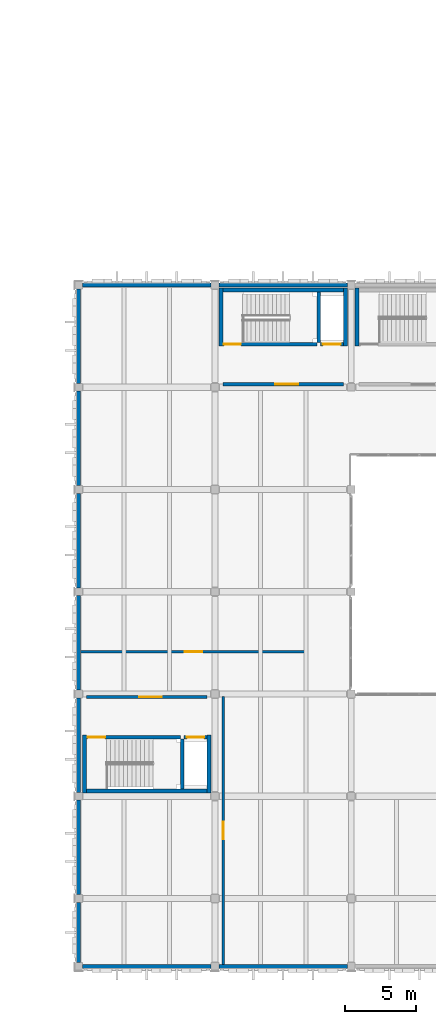
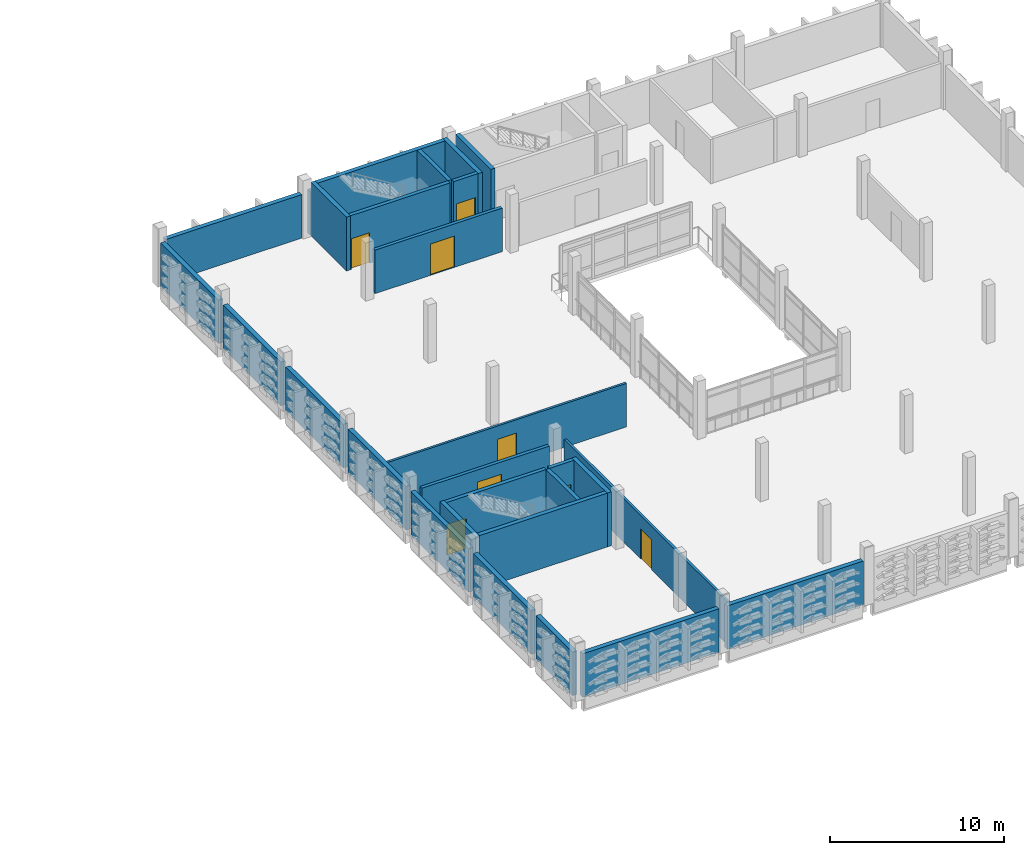
# One storey, part 55 of 72: 28 walls, 8 doors, 8 openings.
"""IFC4 building model written with IfcOpenShell, lengths in metres."""

from ifc_helpers import new_model, si_unit, direction, frame, frame_2d, origin, place, context, subcontext, project, spatial, rectangle, extrude, material, layer, layer_set, type_object, element, fill, save


model = new_model("IFC4")

# Units and contexts
model_context = context("Model", 3, precision=1e-05, world=origin(), true_north=direction((0.0, 1.0)))
body_context = subcontext(model_context, "Body", "Model", "MODEL_VIEW")
ifc_project = project(units=[si_unit("LENGTHUNIT", "METRE"), si_unit("AREAUNIT", "SQUARE_METRE"), si_unit("VOLUMEUNIT", "CUBIC_METRE"), si_unit("PLANEANGLEUNIT", "RADIAN"), si_unit("MASSUNIT", "GRAM", prefix="KILO")], contexts=[model_context])

# Site, building, storey
site_placement = place(None, origin())
site = spatial("IfcSite", under=ifc_project, at=site_placement, CompositionType="ELEMENT")
building_placement = place(site_placement, origin())
building = spatial("IfcBuilding", under=site, at=building_placement, Name="Asteropetra Specialist Clinic", CompositionType="ELEMENT")
storey_placement = place(building_placement, frame((0.0, 0.0, 12.580078125)))
storey = spatial("IfcBuildingStorey", under=building, at=storey_placement, Name="L03", CompositionType="ELEMENT", Elevation=12.580078125)

# Walls
ifc_material_1 = material(Name="Chevron sage", Category="masonry")
ifc_layer_1 = layer(ifc_material_1, 0.294921875)
ifc_layer_set_1 = layer_set([ifc_layer_1], Name="Chevron sage")
wall_type_1 = type_object("IfcWallType", Name="EW-CHEV-AEG-295", PredefinedType="SOLIDWALL", material=ifc_layer_set_1)
for number, where, z_axis, x_axis, name in (
    (1, (105.875, 0.0, 0.0), (0.0, 0.0, 1.0), (1.0, 0.0, 0.0), "Exterior Wall EW-0255"),
    (2, (114.925048828125, 48.0, 0.0), (0.0, 0.0, 1.0), (-1.0, 0.0, 0.0), "Exterior Wall EW-0256"),
):
    element("IfcWall", number, at=place(storey_placement, frame(where, z_axis=z_axis, x_axis=x_axis)), inside=storey, type_object=wall_type_1, Name=name, PredefinedType="SOLIDWALL", context=body_context, shape_type="SweptSolid", body=[
        extrude(rectangle(XDim=9.050048828125, YDim=0.294921875, at=frame_2d((4.52490234375, 0.0))), origin(), (0.0, 0.0, 1.0), 3.059814453125),
    ])
for number, where, z_axis, x_axis, name in (
    (3, (115.47509765625, 0.0, 0.0), (0.0, 0.0, 1.0), (1.0, 0.0, 0.0), "Exterior Wall EW-0257"),
    (4, (124.52490234375, 48.0, 0.0), (0.0, 0.0, 1.0), (-1.0, 0.0, 0.0), "Exterior Wall EW-0258"),
):
    element("IfcWall", number, at=place(storey_placement, frame(where, z_axis=z_axis, x_axis=x_axis)), inside=storey, type_object=wall_type_1, Name=name, PredefinedType="SOLIDWALL", context=body_context, shape_type="SweptSolid", body=[
        extrude(rectangle(XDim=9.0498046875, YDim=0.294921875, at=frame_2d((4.52490234375, 0.0))), origin(), (0.0, 0.0, 1.0), 3.059814453125),
    ])
wall_1_placement = place(storey_placement, frame((105.60009765625, 4.52490234375, 0.0), z_axis=(0.0, 0.0, 1.0), x_axis=(0.0, -1.0, 0.0)))
element("IfcWall", 5, at=wall_1_placement, inside=storey, type_object=wall_type_1, Name="Exterior Wall EW-0265", PredefinedType="SOLIDWALL", context=body_context, shape_type="SweptSolid", body=[
    extrude(rectangle(XDim=4.25, YDim=0.294921875, at=frame_2d((2.125, 0.0))), origin(), (0.0, 0.0, 1.0), 3.059814453125),
])
for number, where, z_axis, x_axis, name in (
    (6, (105.60009765625, 11.72509765625, 0.0), (0.0, 0.0, 1.0), (0.0, -1.0, 0.0), "Exterior Wall EW-0267"),
    (7, (105.60009765625, 18.925048828125, 0.0), (0.0, 0.0, 1.0), (0.0, -1.0, 0.0), "Exterior Wall EW-0269"),
):
    element("IfcWall", number, at=place(storey_placement, frame(where, z_axis=z_axis, x_axis=x_axis)), inside=storey, type_object=wall_type_1, Name=name, PredefinedType="SOLIDWALL", context=body_context, shape_type="SweptSolid", body=[
        extrude(rectangle(XDim=6.650146484375, YDim=0.294921875, at=frame_2d((3.3251953125, 0.0))), origin(), (0.0, 0.0, 1.0), 3.059814453125),
    ])
for number, where, z_axis, x_axis, name in (
    (8, (105.60009765625, 26.125, 0.0), (0.0, 0.0, 1.0), (0.0, -1.0, 0.0), "Exterior Wall EW-0271"),
    (9, (105.60009765625, 33.324951171875, 0.0), (0.0, 0.0, 1.0), (0.0, -1.0, 0.0), "Exterior Wall EW-0273"),
    (10, (105.60009765625, 40.52490234375, 0.0), (0.0, 0.0, 1.0), (0.0, -1.0, 0.0), "Exterior Wall EW-0275"),
):
    element("IfcWall", number, at=place(storey_placement, frame(where, z_axis=z_axis, x_axis=x_axis)), inside=storey, type_object=wall_type_1, Name=name, PredefinedType="SOLIDWALL", context=body_context, shape_type="SweptSolid", body=[
        extrude(rectangle(XDim=6.64990234375, YDim=0.294921875, at=frame_2d((3.324951171875, 0.0))), origin(), (0.0, 0.0, 1.0), 3.059814453125),
    ])
wall_2_placement = place(storey_placement, frame((105.60009765625, 47.72509765625, 0.0), z_axis=(0.0, 0.0, 1.0), x_axis=(0.0, -1.0, 0.0)))
element("IfcWall", 11, at=wall_2_placement, inside=storey, type_object=wall_type_1, Name="Exterior Wall EW-0277", PredefinedType="SOLIDWALL", context=body_context, shape_type="SweptSolid", body=[
    extrude(rectangle(XDim=6.650146484375, YDim=0.294921875, at=frame_2d((3.3251953125, 0.0))), origin(), (0.0, 0.0, 1.0), 3.059814453125),
])

# Wall, opening, door
ifc_material_2 = material(Name="Fire-rated masonry and gypsum", Category="masonry")
ifc_layer_2 = layer(ifc_material_2, 0.219970703125)
ifc_layer_set_2 = layer_set([ifc_layer_2], Name="Fire-rated masonry and gypsum")
wall_type_2 = type_object("IfcWallType", Name="W-COMP-220", PredefinedType="PARTITIONING", material=ifc_layer_set_2)
wall_3_placement = place(storey_placement, frame((106.159912109375, 18.97998046875, 0.0), z_axis=(0.0, 0.0, 1.0), x_axis=(1.0, 0.0, 0.0)))
wall_3 = element("IfcWall", 12, at=wall_3_placement, inside=storey, type_object=wall_type_2, Name="Core Wall CW-C8-L03-LOB", PredefinedType="PARTITIONING", context=body_context, shape_type="SweptSolid", body=[
    extrude(rectangle(XDim=8.47998046875, YDim=0.219970703125, at=frame_2d((4.239990234375, 0.0))), origin(), (0.0, 0.0, 1.0), 3.059814453125),
])
opening_1_placement = place(wall_3_placement, frame((3.699951171875, 0.0, 0.0)))
opening_1 = element("IfcOpeningElement", 13, at=opening_1_placement, cuts=wall_3, Name="Opening FD-072", PredefinedType="OPENING", context=body_context, shape_type="SweptSolid", body=[
    extrude(rectangle(XDim=1.60009765625, YDim=2.199951171875, at=frame_2d((0.800048828125, 1.10009765625))), frame((0.0, 0.119873046875, 0.0), z_axis=(0.0, -1.0, 0.0), x_axis=(1.0, 0.0, 0.0)), (0.0, 0.0, 1.0), 0.239990234375),
])
ifc_material_3 = material(Name="Fire-rated steel and vision glass door", Category="steel")
door_type_1 = type_object("IfcDoorType", Name="FD-LOBBY-1600", OperationType="DOUBLE_DOOR_SINGLE_SWING", PredefinedType="DOOR", material=ifc_material_3)
door_1_placement = place(opening_1_placement, origin())
door_1 = element("IfcDoor", 14, at=door_1_placement, inside=storey, type_object=door_type_1, Name="Lobby Fire Door FD-072", OperationType="DOUBLE_DOOR_SINGLE_SWING", OverallHeight=2.199951171875, OverallWidth=1.60009765625, PredefinedType="DOOR", context=body_context, shape_type="SweptSolid", body=[
    extrude(rectangle(XDim=1.60009765625, YDim=2.199951171875, at=frame_2d((0.800048828125, 1.10009765625))), frame((0.0, 0.02490234375, 0.0), z_axis=(0.0, -1.0, 0.0), x_axis=(1.0, 0.0, 0.0)), (0.0, 0.0, 1.0), 0.050048828125),
])
fill(opening_1, door_1)

wall_4_placement = place(storey_placement, frame((115.760009765625, 41.02001953125, 0.0), z_axis=(0.0, 0.0, 1.0), x_axis=(1.0, 0.0, 0.0)))
wall_4 = element("IfcWall", 15, at=wall_4_placement, inside=storey, type_object=wall_type_2, Name="Core Wall CW-C10-L03-LOB", PredefinedType="PARTITIONING", context=body_context, shape_type="SweptSolid", body=[
    extrude(rectangle(XDim=8.47998046875, YDim=0.219970703125, at=frame_2d((4.239990234375, 0.0))), origin(), (0.0, 0.0, 1.0), 3.059814453125),
])
opening_2_placement = place(wall_4_placement, frame((3.699951171875, 0.0, 0.0)))
opening_2 = element("IfcOpeningElement", 16, at=opening_2_placement, cuts=wall_4, Name="Opening FD-092", PredefinedType="OPENING", context=body_context, shape_type="SweptSolid", body=[
    extrude(rectangle(XDim=1.60009765625, YDim=2.199951171875, at=frame_2d((0.800048828125, 1.10009765625))), frame((0.0, 0.119873046875, 0.0), z_axis=(0.0, -1.0, 0.0), x_axis=(1.0, 0.0, 0.0)), (0.0, 0.0, 1.0), 0.239990234375),
])
door_2_placement = place(opening_2_placement, origin())
door_2 = element("IfcDoor", 17, at=door_2_placement, inside=storey, type_object=door_type_1, Name="Lobby Fire Door FD-092", OperationType="DOUBLE_DOOR_SINGLE_SWING", OverallHeight=2.199951171875, OverallWidth=1.60009765625, PredefinedType="DOOR", context=body_context, shape_type="SweptSolid", body=[
    extrude(rectangle(XDim=1.60009765625, YDim=2.199951171875, at=frame_2d((0.800048828125, 1.10009765625))), frame((0.0, 0.02490234375, 0.0), z_axis=(0.0, -1.0, 0.0), x_axis=(1.0, 0.0, 0.0)), (0.0, 0.0, 1.0), 0.050048828125),
])
fill(opening_2, door_2)

# Walls
ifc_material_4 = material(Name="Concrete C35/45", Category="concrete")
ifc_layer_3 = layer(ifc_material_4, 0.280029296875)
ifc_layer_set_3 = layer_set([ifc_layer_3], Name="Concrete C35/45")
wall_type_3 = type_object("IfcWallType", Name="W-CORE-280", PredefinedType="SHEAR", material=ifc_layer_set_3)
for number, where, z_axis, x_axis, name in (
    (18, (106.02001953125, 12.219970703125, 0.0), (0.0, 0.0, 1.0), (0.0, 1.0, 0.0), "Core Wall CW-C8-L03-W"),
    (19, (114.780029296875, 12.219970703125, 0.0), (0.0, 0.0, 1.0), (0.0, 1.0, 0.0), "Core Wall CW-C8-L03-E"),
):
    element("IfcWall", number, at=place(storey_placement, frame(where, z_axis=z_axis, x_axis=x_axis)), inside=storey, type_object=wall_type_3, Name=name, PredefinedType="SHEAR", context=body_context, shape_type="SweptSolid", body=[
        extrude(rectangle(XDim=4.080078125, YDim=0.280029296875, at=frame_2d((2.0400390625, 0.0))), origin(), (0.0, 0.0, 1.0), 3.780029296875),
    ])
wall_5_placement = place(storey_placement, frame((106.155029296875, 12.360107421875, 0.0), z_axis=(0.0, 0.0, 1.0), x_axis=(1.0, 0.0, 0.0)))
element("IfcWall", 20, at=wall_5_placement, inside=storey, type_object=wall_type_3, Name="Core Wall CW-C8-L03-BACK", PredefinedType="SHEAR", context=body_context, shape_type="SweptSolid", body=[
    extrude(rectangle(XDim=8.489990234375, YDim=0.280029296875, at=frame_2d((4.2451171875, 0.0))), origin(), (0.0, 0.0, 1.0), 3.780029296875),
])
for number, where, z_axis, x_axis, name in (
    (21, (125.219970703125, 43.699951171875, 0.0), (0.0, 0.0, 1.0), (0.0, 1.0, 0.0), "Core Wall CW-C9-L03-W"),
    (22, (115.6201171875, 43.699951171875, 0.0), (0.0, 0.0, 1.0), (0.0, 1.0, 0.0), "Core Wall CW-C10-L03-W"),
    (23, (124.3798828125, 43.699951171875, 0.0), (0.0, 0.0, 1.0), (0.0, 1.0, 0.0), "Core Wall CW-C10-L03-E"),
):
    element("IfcWall", number, at=place(storey_placement, frame(where, z_axis=z_axis, x_axis=x_axis)), inside=storey, type_object=wall_type_3, Name=name, PredefinedType="SHEAR", context=body_context, shape_type="SweptSolid", body=[
        extrude(rectangle(XDim=4.080078125, YDim=0.280029296875, at=frame_2d((2.0400390625, 0.0))), origin(), (0.0, 0.0, 1.0), 3.780029296875),
    ])
wall_6_placement = place(storey_placement, frame((115.7548828125, 47.639892578125, 0.0), z_axis=(0.0, 0.0, 1.0), x_axis=(1.0, 0.0, 0.0)))
element("IfcWall", 24, at=wall_6_placement, inside=storey, type_object=wall_type_3, Name="Core Wall CW-C10-L03-BACK", PredefinedType="SHEAR", context=body_context, shape_type="SweptSolid", body=[
    extrude(rectangle(XDim=8.490234375, YDim=0.280029296875, at=frame_2d((4.2451171875, 0.0))), origin(), (0.0, 0.0, 1.0), 3.780029296875),
])

# Wall, opening, door
ifc_material_5 = material(Name="Clinical consulting partition", Category="masonry")
ifc_layer_4 = layer(ifc_material_5, 0.14990234375)
ifc_layer_set_4 = layer_set([ifc_layer_4], Name="Clinical consulting partition")
wall_type_4 = type_object("IfcWallType", Name="W-PART-150", PredefinedType="PARTITIONING", material=ifc_layer_set_4)
wall_7_placement = place(storey_placement, frame((105.74951171875, 22.179931640625, 0.0), z_axis=(0.0, 0.0, 1.0), x_axis=(1.0, 0.0, 0.0)))
wall_7 = element("IfcWall", 25, at=wall_7_placement, inside=storey, type_object=wall_type_4, Name="Interior Partition PW-0156", PredefinedType="PARTITIONING", context=body_context, shape_type="SweptSolid", body=[
    extrude(rectangle(XDim=15.87060546875, YDim=0.14990234375, at=frame_2d((7.935302734375, 0.0))), origin(), (0.0, 0.0, 1.0), 3.059814453125),
])
opening_3_placement = place(wall_7_placement, frame((7.310302734375, 0.0, 0.0)))
opening_3 = element("IfcOpeningElement", 26, at=opening_3_placement, cuts=wall_7, Name="Opening ID-0104", PredefinedType="OPENING", context=body_context, shape_type="SweptSolid", body=[
    extrude(rectangle(XDim=1.25, YDim=2.1201171875, at=frame_2d((0.625, 1.06005859375))), frame((0.0, 0.0849609375, 0.0), z_axis=(0.0, -1.0, 0.0), x_axis=(1.0, 0.0, 0.0)), (0.0, 0.0, 1.0), 0.169921875),
])
ifc_material_6 = material(Name="Antimicrobial laminate timber leaf in steel frame", Category="steel")
door_type_2 = type_object("IfcDoorType", Name="ID-SEMIN-1250", OperationType="NOTDEFINED", PredefinedType="DOOR", material=ifc_material_6)
door_3_placement = place(opening_3_placement, origin())
door_3 = element("IfcDoor", 27, at=door_3_placement, inside=storey, type_object=door_type_2, Name="Interior Door ID-0104", OperationType="SINGLE_SWING_LEFT", OverallHeight=2.1201171875, OverallWidth=1.25, PredefinedType="DOOR", context=body_context, shape_type="SweptSolid", body=[
    extrude(rectangle(XDim=1.25, YDim=2.1201171875, at=frame_2d((0.625, 1.06005859375))), frame((0.0, 0.02490234375, 0.0), z_axis=(0.0, -1.0, 0.0), x_axis=(1.0, 0.0, 0.0)), (0.0, 0.0, 1.0), 0.050048828125),
])
fill(opening_3, door_3)

ifc_material_7 = material(Name="Acoustic clinical stud partition", Category="masonry")
ifc_layer_5 = layer(ifc_material_7, 0.159912109375)
ifc_layer_set_5 = layer_set([ifc_layer_5], Name="Acoustic clinical stud partition")
wall_type_5 = type_object("IfcWallType", Name="W-PART-160", PredefinedType="PARTITIONING", material=ifc_layer_set_5)
wall_8_placement = place(storey_placement, frame((115.780029296875, 0.1494140625, 0.0), z_axis=(0.0, 0.0, 1.0), x_axis=(0.0, 1.0, 0.0)))
wall_8 = element("IfcWall", 28, at=wall_8_placement, inside=storey, type_object=wall_type_5, Name="Interior Partition PW-0155", PredefinedType="PARTITIONING", context=body_context, shape_type="SweptSolid", body=[
    extrude(rectangle(XDim=18.87060546875, YDim=0.159912109375, at=frame_2d((9.435302734375, 0.0))), origin(), (0.0, 0.0, 1.0), 3.059814453125),
])
opening_4_placement = place(wall_8_placement, frame((8.810302734375, 0.0, 0.0)))
opening_4 = element("IfcOpeningElement", 29, at=opening_4_placement, cuts=wall_8, Name="Opening ID-0103", PredefinedType="OPENING", context=body_context, shape_type="SweptSolid", body=[
    extrude(rectangle(XDim=1.25, YDim=2.1201171875, at=frame_2d((0.625, 1.06005859375))), frame((0.0, 0.08984375, 0.0), z_axis=(0.0, -1.0, 0.0), x_axis=(1.0, 0.0, 0.0)), (0.0, 0.0, 1.0), 0.179931640625),
])
door_4_placement = place(opening_4_placement, origin())
door_4 = element("IfcDoor", 30, at=door_4_placement, inside=storey, type_object=door_type_2, Name="Interior Door ID-0103", OperationType="SINGLE_SWING_RIGHT", OverallHeight=2.1201171875, OverallWidth=1.25, PredefinedType="DOOR", context=body_context, shape_type="SweptSolid", body=[
    extrude(rectangle(XDim=1.25, YDim=2.1201171875, at=frame_2d((0.625, 1.06005859375))), frame((0.0, 0.02490234375, 0.0), z_axis=(0.0, -1.0, 0.0), x_axis=(1.0, 0.0, 0.0)), (0.0, 0.0, 1.0), 0.050048828125),
])
fill(opening_4, door_4)

# Wall
ifc_material_8 = material(Name="Concrete C35/45", Category="concrete")
ifc_layer_6 = layer(ifc_material_8, 0.25)
ifc_layer_set_6 = layer_set([ifc_layer_6], Name="Concrete C35/45")
wall_type_6 = type_object("IfcWallType", Name="W-SHAFT-250", PredefinedType="SHEAR", material=ifc_layer_set_6)
wall_9_placement = place(storey_placement, frame((112.89990234375, 12.5, 0.0), z_axis=(0.0, 0.0, 1.0), x_axis=(0.0, 1.0, 0.0)))
element("IfcWall", 31, at=wall_9_placement, inside=storey, type_object=wall_type_6, Name="Core Wall CW-C8-L03-MID", PredefinedType="SHEAR", context=body_context, shape_type="SweptSolid", body=[
    extrude(rectangle(XDim=3.5400390625, YDim=0.25, at=frame_2d((1.77001953125, 0.0))), origin(), (0.0, 0.0, 1.0), 3.780029296875),
])

# Wall, opening, door
wall_10_placement = place(storey_placement, frame((106.155029296875, 16.159912109375, 0.0), z_axis=(0.0, 0.0, 1.0), x_axis=(1.0, 0.0, 0.0)))
wall_10 = element("IfcWall", 32, at=wall_10_placement, inside=storey, type_object=wall_type_6, Name="Core Wall CW-C8-L03-STDIV", PredefinedType="SHEAR", context=body_context, shape_type="SweptSolid", body=[
    extrude(rectangle(XDim=6.625, YDim=0.25, at=frame_2d((3.3125, 0.0))), origin(), (0.0, 0.0, 1.0), 3.780029296875),
])
opening_5_placement = place(wall_10_placement, frame((0.080078125, 0.0, 0.0)))
opening_5 = element("IfcOpeningElement", 33, at=opening_5_placement, cuts=wall_10, Name="Opening FD-071", PredefinedType="OPENING", context=body_context, shape_type="SweptSolid", body=[
    extrude(rectangle(XDim=1.239990234375, YDim=2.14990234375, at=frame_2d((0.6201171875, 1.074951171875))), frame((0.0, 0.135009765625, 0.0), z_axis=(0.0, -1.0, 0.0), x_axis=(1.0, 0.0, 0.0)), (0.0, 0.0, 1.0), 0.27001953125),
])
ifc_material_9 = material(Name="Fire-rated steel and vision glass door", Category="steel")
door_type_3 = type_object("IfcDoorType", Name="FD-STAIR-1400", OperationType="DOUBLE_DOOR_SINGLE_SWING", PredefinedType="DOOR", material=ifc_material_9)
door_5_placement = place(opening_5_placement, origin())
door_5 = element("IfcDoor", 34, at=door_5_placement, inside=storey, type_object=door_type_3, Name="Stair Fire Door FD-071", OperationType="DOUBLE_DOOR_SINGLE_SWING", OverallHeight=2.14990234375, OverallWidth=1.239990234375, PredefinedType="DOOR", context=body_context, shape_type="SweptSolid", body=[
    extrude(rectangle(XDim=1.239990234375, YDim=2.14990234375, at=frame_2d((0.6201171875, 1.074951171875))), frame((0.0, 0.02490234375, 0.0), z_axis=(0.0, -1.0, 0.0), x_axis=(1.0, 0.0, 0.0)), (0.0, 0.0, 1.0), 0.050048828125),
])
fill(opening_5, door_5)

wall_11_placement = place(storey_placement, frame((113.02001953125, 16.159912109375, 0.0), z_axis=(0.0, 0.0, 1.0), x_axis=(1.0, 0.0, 0.0)))
wall_11 = element("IfcWall", 35, at=wall_11_placement, inside=storey, type_object=wall_type_6, Name="Lift Shaft Front Wall CW-C8-L03-LFTF", PredefinedType="SHEAR", context=body_context, shape_type="SweptSolid", body=[
    extrude(rectangle(XDim=1.625, YDim=0.25, at=frame_2d((0.8125, 0.0))), origin(), (0.0, 0.0, 1.0), 3.780029296875),
])
opening_6_placement = place(wall_11_placement, frame((0.21240234375, 0.0, 0.0)))
opening_6 = element("IfcOpeningElement", 36, at=opening_6_placement, cuts=wall_11, Name="Opening LD-036", PredefinedType="OPENING", context=body_context, shape_type="SweptSolid", body=[
    extrude(rectangle(XDim=1.199951171875, YDim=2.14990234375, at=frame_2d((0.60009765625, 1.074951171875))), frame((0.0, 0.135009765625, 0.0), z_axis=(0.0, -1.0, 0.0), x_axis=(1.0, 0.0, 0.0)), (0.0, 0.0, 1.0), 0.27001953125),
])
ifc_material_10 = material(Name="Brushed stainless steel sliding lift landing door", Category="steel")
door_type_4 = type_object("IfcDoorType", Name="LD-FF-1200", OperationType="DOUBLE_DOOR_SLIDING", PredefinedType="DOOR", material=ifc_material_10)
door_6_placement = place(opening_6_placement, origin())
door_6 = element("IfcDoor", 37, at=door_6_placement, inside=storey, type_object=door_type_4, Name="Lift Landing Door LD-036", OperationType="DOUBLE_DOOR_SLIDING", OverallHeight=2.14990234375, OverallWidth=1.199951171875, PredefinedType="DOOR", context=body_context, shape_type="SweptSolid", body=[
    extrude(rectangle(XDim=1.199951171875, YDim=2.14990234375, at=frame_2d((0.60009765625, 1.074951171875))), frame((0.0, 0.02490234375, 0.0), z_axis=(0.0, -1.0, 0.0), x_axis=(1.0, 0.0, 0.0)), (0.0, 0.0, 1.0), 0.050048828125),
])
fill(opening_6, door_6)

# Wall
wall_12_placement = place(storey_placement, frame((122.5, 43.9599609375, 0.0), z_axis=(0.0, 0.0, 1.0), x_axis=(0.0, 1.0, 0.0)))
element("IfcWall", 38, at=wall_12_placement, inside=storey, type_object=wall_type_6, Name="Core Wall CW-C10-L03-MID", PredefinedType="SHEAR", context=body_context, shape_type="SweptSolid", body=[
    extrude(rectangle(XDim=3.5400390625, YDim=0.25, at=frame_2d((1.77001953125, 0.0))), origin(), (0.0, 0.0, 1.0), 3.780029296875),
])

# Wall, opening, door
wall_13_placement = place(storey_placement, frame((115.7548828125, 43.840087890625, 0.0), z_axis=(0.0, 0.0, 1.0), x_axis=(1.0, 0.0, 0.0)))
wall_13 = element("IfcWall", 39, at=wall_13_placement, inside=storey, type_object=wall_type_6, Name="Core Wall CW-C10-L03-STDIV", PredefinedType="SHEAR", context=body_context, shape_type="SweptSolid", body=[
    extrude(rectangle(XDim=6.625, YDim=0.25, at=frame_2d((3.3125, 0.0))), origin(), (0.0, 0.0, 1.0), 3.780029296875),
])
opening_7_placement = place(wall_13_placement, frame((0.080078125, 0.0, 0.0)))
opening_7 = element("IfcOpeningElement", 40, at=opening_7_placement, cuts=wall_13, Name="Opening FD-091", PredefinedType="OPENING", context=body_context, shape_type="SweptSolid", body=[
    extrude(rectangle(XDim=1.199951171875, YDim=2.14990234375, at=frame_2d((0.60009765625, 1.074951171875))), frame((0.0, 0.135009765625, 0.0), z_axis=(0.0, -1.0, 0.0), x_axis=(1.0, 0.0, 0.0)), (0.0, 0.0, 1.0), 0.27001953125),
])
ifc_material_11 = material(Name="Fire-rated steel and vision glass door", Category="steel")
door_type_5 = type_object("IfcDoorType", Name="FD-STAIR-1350", OperationType="DOUBLE_DOOR_SINGLE_SWING", PredefinedType="DOOR", material=ifc_material_11)
door_7_placement = place(opening_7_placement, origin())
door_7 = element("IfcDoor", 41, at=door_7_placement, inside=storey, type_object=door_type_5, Name="Stair Fire Door FD-091", OperationType="DOUBLE_DOOR_SINGLE_SWING", OverallHeight=2.14990234375, OverallWidth=1.199951171875, PredefinedType="DOOR", context=body_context, shape_type="SweptSolid", body=[
    extrude(rectangle(XDim=1.199951171875, YDim=2.14990234375, at=frame_2d((0.60009765625, 1.074951171875))), frame((0.0, 0.02490234375, 0.0), z_axis=(0.0, -1.0, 0.0), x_axis=(1.0, 0.0, 0.0)), (0.0, 0.0, 1.0), 0.050048828125),
])
fill(opening_7, door_7)

wall_14_placement = place(storey_placement, frame((122.6201171875, 43.840087890625, 0.0), z_axis=(0.0, 0.0, 1.0), x_axis=(1.0, 0.0, 0.0)))
wall_14 = element("IfcWall", 42, at=wall_14_placement, inside=storey, type_object=wall_type_6, Name="Lift Shaft Front Wall CW-C10-L03-LFTF", PredefinedType="SHEAR", context=body_context, shape_type="SweptSolid", body=[
    extrude(rectangle(XDim=1.625, YDim=0.25, at=frame_2d((0.8125, 0.0))), origin(), (0.0, 0.0, 1.0), 3.780029296875),
])
opening_8_placement = place(wall_14_placement, frame((0.1875, 0.0, 0.0)))
opening_8 = element("IfcOpeningElement", 43, at=opening_8_placement, cuts=wall_14, Name="Opening LD-046", PredefinedType="OPENING", context=body_context, shape_type="SweptSolid", body=[
    extrude(rectangle(XDim=1.25, YDim=2.14990234375, at=frame_2d((0.625, 1.074951171875))), frame((0.0, 0.135009765625, 0.0), z_axis=(0.0, -1.0, 0.0), x_axis=(1.0, 0.0, 0.0)), (0.0, 0.0, 1.0), 0.27001953125),
])
ifc_material_12 = material(Name="Brushed stainless steel sliding lift landing door", Category="steel")
door_type_6 = type_object("IfcDoorType", Name="LD-SERV-1250", OperationType="DOUBLE_DOOR_SLIDING", PredefinedType="DOOR", material=ifc_material_12)
door_8_placement = place(opening_8_placement, origin())
door_8 = element("IfcDoor", 44, at=door_8_placement, inside=storey, type_object=door_type_6, Name="Lift Landing Door LD-046", OperationType="DOUBLE_DOOR_SLIDING", OverallHeight=2.14990234375, OverallWidth=1.25, PredefinedType="DOOR", context=body_context, shape_type="SweptSolid", body=[
    extrude(rectangle(XDim=1.25, YDim=2.14990234375, at=frame_2d((0.625, 1.074951171875))), frame((0.0, 0.02490234375, 0.0), z_axis=(0.0, -1.0, 0.0), x_axis=(1.0, 0.0, 0.0)), (0.0, 0.0, 1.0), 0.050048828125),
])
fill(opening_8, door_8)

save(model, "model.ifc")
